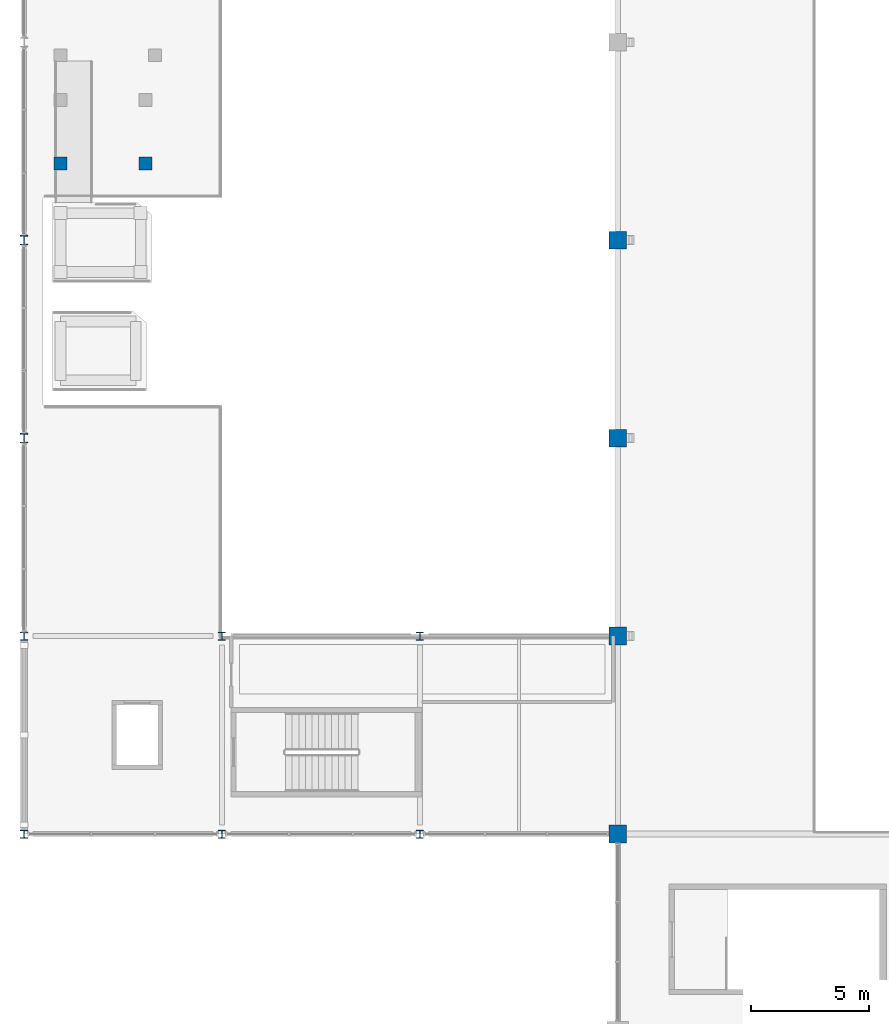
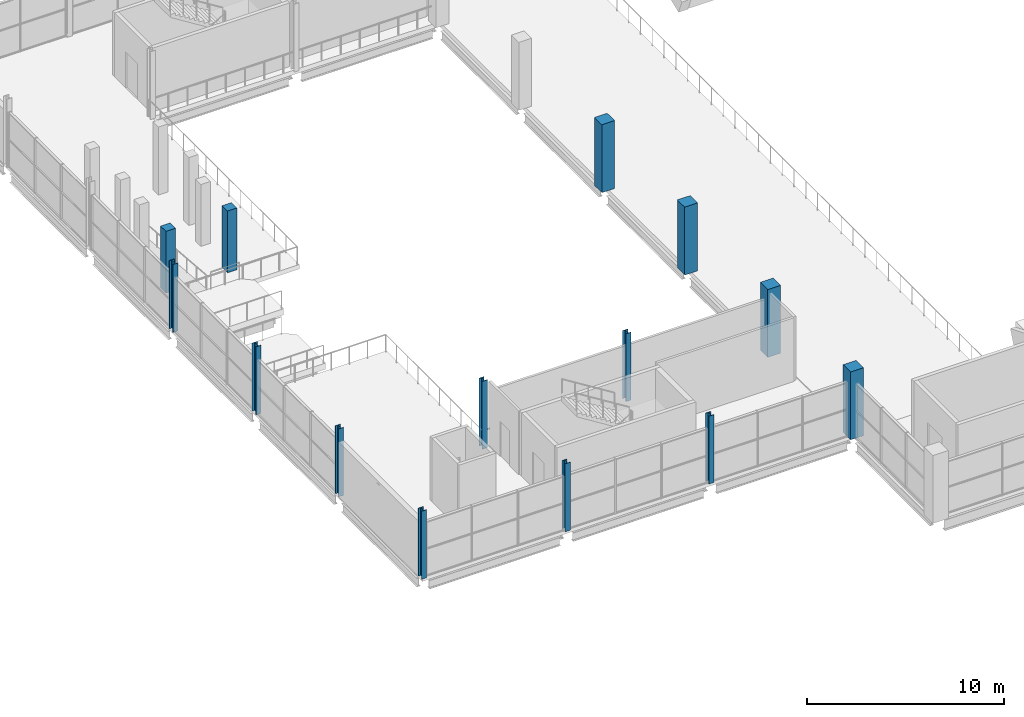
# One storey, part 2 of 161: 14 columns.
"""IFC4 building model written with IfcOpenShell, lengths in metres."""

import ifcopenshell
import ifcopenshell.guid

model = None  # the IFC model being written
_history = None  # IfcOwnerHistory: only IFC2X3 demands one
_inside = {}  # id of a spatial element -> (the spatial element, [elements in it])
_under = {}  # id of a project, library or spatial element -> (it, [spatial elements below it])
_declared = {}  # id of a project -> (the project, [libraries it declares])
_typed = {}  # id of a type object -> (the type object, [elements of that type])
_made_of = {}  # id of a material, layer set ... -> (it, [elements and type objects made of it])


def new_model(schema):
    """Start an empty IFC model of exactly this schema.

    Asked for "IFC4X3", IfcOpenShell would pick the latest addendum, in which some entities
    have other attributes; the version numbers below select the first issue.
    IFC2X3 requires an IfcOwnerHistory on every rooted entity: one is made here for all.
    """
    global model, _history
    if schema == "IFC4X3":
        model = ifcopenshell.file(schema_version=(4, 3, 0, 0))
    else:
        model = ifcopenshell.file(schema=schema)
    _inside.clear()
    _under.clear()
    _declared.clear()
    _typed.clear()
    _made_of.clear()
    _history = None
    if model.schema == "IFC2X3":
        org = make("IfcOrganization", Name="unknown")
        user = make(
            "IfcPersonAndOrganization",
            ThePerson=make("IfcPerson", FamilyName="unknown"),
            TheOrganization=org,
        )
        app = make(
            "IfcApplication",
            ApplicationDeveloper=org,
            Version="unknown",
            ApplicationFullName="unknown",
            ApplicationIdentifier="unknown",
        )
        _history = make(
            "IfcOwnerHistory",
            OwningUser=user,
            OwningApplication=app,
            ChangeAction="ADDED",
            CreationDate=0,
        )
    return model


def make(cls, **values):
    """One entity of the class cls with the attributes given. An attribute that is None is left unset."""
    return model.create_entity(
        cls, **{name: value for name, value in values.items() if value is not None}
    )


def rooted(cls, **values):
    """An entity with a GlobalId (a new one), such as an element, a storey or a relation."""
    return make(cls, GlobalId=ifcopenshell.guid.new(), OwnerHistory=_history, **values)


def si_unit(unit_type, name, prefix=None):
    """IfcSIUnit, for example si_unit("LENGTHUNIT", "METRE", prefix="MILLI")."""
    return make("IfcSIUnit", UnitType=unit_type, Prefix=prefix, Name=name)


def assignment(units):
    """IfcUnitAssignment: the units of a project."""
    return None if units is None else make("IfcUnitAssignment", Units=units)


def point(xyz):
    """IfcCartesianPoint."""
    return None if xyz is None else make("IfcCartesianPoint", Coordinates=xyz)


def direction(xyz):
    """IfcDirection."""
    return None if xyz is None else make("IfcDirection", DirectionRatios=xyz)


def frame(location, z_axis=None, x_axis=None):
    """IfcAxis2Placement3D, a coordinate frame: its origin and axes. An axis left out is left unset."""
    return make(
        "IfcAxis2Placement3D",
        Location=point(location),
        Axis=direction(z_axis),
        RefDirection=direction(x_axis),
    )


def frame_2d(location, x_axis=None):
    """IfcAxis2Placement2D, a coordinate frame in the plane: its origin and x axis."""
    return make(
        "IfcAxis2Placement2D", Location=point(location), RefDirection=direction(x_axis)
    )


def origin():
    """The frame at (0, 0, 0) with its axes left unset."""
    return frame((0.0, 0.0, 0.0))


def origin_2d():
    """The frame at (0, 0) in the plane with its x axis left unset."""
    return frame_2d((0.0, 0.0))


def place(relative_to, where):
    """IfcLocalPlacement: puts the frame where relative to a parent placement (None: the world)."""
    return make(
        "IfcLocalPlacement", PlacementRelTo=relative_to, RelativePlacement=where
    )


def context(
    kind, dimensions, precision=None, world=None, true_north=None, identifier=None
):
    """IfcGeometricRepresentationContext, for example the 3D "Model" context."""
    return make(
        "IfcGeometricRepresentationContext",
        ContextIdentifier=identifier,
        ContextType=kind,
        CoordinateSpaceDimension=dimensions,
        Precision=precision,
        WorldCoordinateSystem=world,
        TrueNorth=true_north,
    )


def subcontext(parent, identifier, kind, view, scale=None):
    """IfcGeometricRepresentationSubContext, for example "Body" below "Model"."""
    return make(
        "IfcGeometricRepresentationSubContext",
        ContextIdentifier=identifier,
        ContextType=kind,
        ParentContext=parent,
        TargetScale=scale,
        TargetView=view,
    )


def project(units=None, contexts=None):
    """IfcProject with its units and contexts."""
    return rooted(
        "IfcProject",
        Name="project",
        RepresentationContexts=contexts,
        UnitsInContext=assignment(units),
    )


def spatial(cls, under=None, at=None, **own):
    """A site, building, storey or space (cls), placed at a placement, below another one or the project."""
    s = rooted(cls, ObjectPlacement=at, **own)
    if under is not None:
        _under.setdefault(under.id(), (under, []))[1].append(s)
    return s


def profile(cls, at=None, kind="AREA", **sizes):
    """A parametric profile (cls). Its sizes go by their IFC names, for example OverallWidth=200.0."""
    return make(cls, ProfileType=kind, Position=at, **sizes)


def rectangle(**sizes):
    """IfcRectangleProfileDef."""
    return profile("IfcRectangleProfileDef", **sizes)


def i_section(**sizes):
    """IfcIShapeProfileDef."""
    return profile("IfcIShapeProfileDef", **sizes)


def extrude(swept, where, along, depth):
    """IfcExtrudedAreaSolid: the profile swept, set in the frame where, extruded along a direction by depth."""
    return make(
        "IfcExtrudedAreaSolid",
        SweptArea=swept,
        Position=where,
        ExtrudedDirection=direction(along),
        Depth=depth,
    )


def shape(context_of_items, identifier, shape_type, items):
    """IfcShapeRepresentation: the items that make up one representation, for example the "Body"."""
    return make(
        "IfcShapeRepresentation",
        ContextOfItems=context_of_items,
        RepresentationIdentifier=identifier,
        RepresentationType=shape_type,
        Items=items,
    )


def material(Name=None, Category=None):
    """IfcMaterial."""
    return make("IfcMaterial", Name=Name, Category=Category)


def material_profile(
    of_material, cross_section, Name=None, Category=None, Priority=None
):
    """IfcMaterialProfile: a cross section and its material."""
    return make(
        "IfcMaterialProfile",
        Name=Name,
        Material=of_material,
        Profile=cross_section,
        Priority=Priority,
        Category=Category,
    )


def profile_set(profiles, Name=None, composite=None):
    """IfcMaterialProfileSet."""
    return make(
        "IfcMaterialProfileSet",
        Name=Name,
        MaterialProfiles=profiles,
        CompositeProfile=composite,
    )


def made_of(thing, what):
    """Note that an element or type object is made of a material, layer set ...; save() writes the relation."""
    if what is not None:
        _made_of.setdefault(what.id(), (what, []))[1].append(thing)
    return thing


def type_object(cls, material=None, **own):
    """A type object (cls), such as IfcWallType, which elements share."""
    return made_of(rooted(cls, **own), material)


def element(
    cls,
    number,
    at=None,
    inside=None,
    cuts=None,
    type_object=None,
    material=None,
    context=None,
    identifier="Body",
    shape_type=None,
    held_by="IfcProductDefinitionShape",
    body=None,
    shapes=None,
    **own,
):
    """One element of the class cls, such as IfcWall. Its Tag is "e" and its number.

    at: its placement. inside: the storey or other place that contains it. cuts: it is an
    opening in that element (IfcRelVoidsElement). A single representation is given by context,
    identifier, shape_type and body (its items); several are given by shapes. held_by: the class
    of the entity that holds the representations. save() writes the other relations.
    """
    e = rooted(cls, Tag="e%d" % number, ObjectPlacement=at, **own)
    if body is not None:
        shapes = [shape(context, identifier, shape_type, body)]
    if shapes is not None:
        e.Representation = make(held_by, Representations=shapes)
    if inside is not None:
        _inside.setdefault(inside.id(), (inside, []))[1].append(e)
    if cuts is not None:
        rooted(
            "IfcRelVoidsElement", RelatingBuildingElement=cuts, RelatedOpeningElement=e
        )
    if type_object is not None:
        _typed.setdefault(type_object.id(), (type_object, []))[1].append(e)
    return made_of(e, material)


def aggregate(whole, parts):
    """IfcRelAggregates: a whole, such as a stair, and the parts it consists of."""
    return rooted("IfcRelAggregates", RelatingObject=whole, RelatedObjects=parts)


def save(model, path):
    """Write the relations noted so far, then the file.

    IfcRelAggregates (storeys below a building ...), IfcRelContainedInSpatialStructure (elements
    in a storey), IfcRelDefinesByType, IfcRelAssociatesMaterial and IfcRelDeclares: one each for
    every whole, place, type object, material and project.
    """
    for whole, parts in _under.values():
        aggregate(whole, parts)
    for where, things in _inside.values():
        rooted(
            "IfcRelContainedInSpatialStructure",
            RelatedElements=things,
            RelatingStructure=where,
        )
    for kind, things in _typed.values():
        rooted("IfcRelDefinesByType", RelatedObjects=things, RelatingType=kind)
    for what, things in _made_of.values():
        rooted("IfcRelAssociatesMaterial", RelatedObjects=things, RelatingMaterial=what)
    for by, libraries in _declared.values():
        rooted("IfcRelDeclares", RelatingContext=by, RelatedDefinitions=libraries)
    model.write(path)


model = new_model("IFC4")

# Units and contexts
model_context = context("Model", 3, precision=1e-05, world=origin(), true_north=direction((0.0, 1.0)))
body_context = subcontext(model_context, "Body", "Model", "MODEL_VIEW")
ifc_project = project(units=[si_unit("LENGTHUNIT", "METRE"), si_unit("AREAUNIT", "SQUARE_METRE"), si_unit("VOLUMEUNIT", "CUBIC_METRE"), si_unit("PLANEANGLEUNIT", "RADIAN"), si_unit("MASSUNIT", "GRAM", prefix="KILO"), si_unit("THERMODYNAMICTEMPERATUREUNIT", "KELVIN")], contexts=[model_context])

# Site, building, storey
site_placement = place(None, origin())
site = spatial("IfcSite", under=ifc_project, at=site_placement, CompositionType="ELEMENT")
building_placement = place(site_placement, origin())
building = spatial("IfcBuilding", under=site, at=building_placement, Name="Nduvali Passage Aquatics Centre", CompositionType="ELEMENT")
storey_placement = place(building_placement, frame((0.0, 0.0, 4.800048828125)))
storey = spatial("IfcBuildingStorey", under=building, at=storey_placement, Name="L01", CompositionType="ELEMENT", Elevation=4.800048828125)

# Columns
ifc_material_1 = material(Name="Steel S355", Category="steel")
ifc_material_profile_1 = material_profile(ifc_material_1, i_section(OverallWidth=0.300048828125, OverallDepth=0.340087890625, WebThickness=0.011962890625, FlangeThickness=0.021484375, FilletRadius=0.027099609375, at=origin_2d()), Name="HEB 340")
ifc_profile_set_1 = profile_set([ifc_material_profile_1], Name="Steel S355")
column_type_1 = type_object("IfcColumnType", Name="STR-COL-HEB340", PredefinedType="COLUMN", material=ifc_profile_set_1)
for number, where, z_axis, x_axis, name in (
    (1, (8.39990234375, 42.0, 0.0), (0.0, 0.0, 1.0), (1.0, 0.0, 0.0), "L01 Column C7 (8.4, 42.0)"),
    (2, (16.800048828125, 42.0, 0.0), (0.0, 0.0, 1.0), (1.0, 0.0, 0.0), "L01 Column C7 (16.8, 42.0)"),
):
    element("IfcColumn", number, at=place(storey_placement, frame(where, z_axis=z_axis, x_axis=x_axis)), inside=storey, type_object=column_type_1, Name=name, PredefinedType="COLUMN", context=body_context, shape_type="SweptSolid", body=[
        extrude(i_section(OverallWidth=0.300048828125, OverallDepth=0.340087890625, WebThickness=0.011962890625, FlangeThickness=0.021484375, FilletRadius=0.027099609375, at=origin_2d()), origin(), (0.0, 0.0, 1.0), 4.199951171875),
    ])
ifc_material_profile_2 = material_profile(ifc_material_1, i_section(OverallWidth=0.300048828125, OverallDepth=0.340087890625, WebThickness=0.011962890625, FlangeThickness=0.021484375, FilletRadius=0.027099609375, at=origin_2d()), Name="HEB 340")
ifc_profile_set_2 = profile_set([ifc_material_profile_2], Name="Steel S355")
column_type_2 = type_object("IfcColumnType", Name="STR-COL-HEB340-EXT", PredefinedType="COLUMN", material=ifc_profile_set_2)
for number, where, z_axis, x_axis, name in (
    (3, (0.0, 33.60009765625, 0.0), (0.0, 0.0, 1.0), (1.0, 0.0, 0.0), "L01 Column C7E (0.0, 33.6)"),
    (4, (0.0, 42.0, 0.0), (0.0, 0.0, 1.0), (1.0, 0.0, 0.0), "L01 Column C7E (0.0, 42.0)"),
    (5, (8.39990234375, 33.60009765625, 0.0), (0.0, 0.0, 1.0), (1.0, 0.0, 0.0), "L01 Column C7E (8.4, 33.6)"),
    (6, (16.800048828125, 33.60009765625, 0.0), (0.0, 0.0, 1.0), (1.0, 0.0, 0.0), "L01 Column C7E (16.8, 33.6)"),
):
    element("IfcColumn", number, at=place(storey_placement, frame(where, z_axis=z_axis, x_axis=x_axis)), inside=storey, type_object=column_type_2, Name=name, PredefinedType="COLUMN", context=body_context, shape_type="SweptSolid", body=[
        extrude(i_section(OverallWidth=0.300048828125, OverallDepth=0.340087890625, WebThickness=0.011962890625, FlangeThickness=0.021484375, FilletRadius=0.027099609375, at=origin_2d()), origin(), (0.0, 0.0, 1.0), 4.199951171875),
    ])
ifc_material_profile_3 = material_profile(ifc_material_1, i_section(OverallWidth=0.300048828125, OverallDepth=0.39990234375, WebThickness=0.013427734375, FlangeThickness=0.02392578125, FilletRadius=0.027099609375, at=origin_2d()), Name="HEB 400")
ifc_profile_set_3 = profile_set([ifc_material_profile_3], Name="Steel S355")
column_type_3 = type_object("IfcColumnType", Name="STR-COL-HEB400-EXT", PredefinedType="COLUMN", material=ifc_profile_set_3)
for number, where, z_axis, x_axis, name in (
    (7, (0.0, 50.39990234375, 0.0), (0.0, 0.0, 1.0), (1.0, 0.0, 0.0), "L01 Column C7AE (0.0, 50.4)"),
    (8, (0.0, 58.800048828125, 0.0), (0.0, 0.0, 1.0), (1.0, 0.0, 0.0), "L01 Column C7AE (0.0, 58.8)"),
):
    element("IfcColumn", number, at=place(storey_placement, frame(where, z_axis=z_axis, x_axis=x_axis)), inside=storey, type_object=column_type_3, Name=name, PredefinedType="COLUMN", context=body_context, shape_type="SweptSolid", body=[
        extrude(i_section(OverallWidth=0.300048828125, OverallDepth=0.39990234375, WebThickness=0.013427734375, FlangeThickness=0.02392578125, FilletRadius=0.027099609375, at=origin_2d()), origin(), (0.0, 0.0, 1.0), 4.199951171875),
    ])
ifc_material_2 = material(Name="Concrete C40/50", Category="concrete")
ifc_material_profile_4 = material_profile(ifc_material_2, rectangle(XDim=0.550048828125, YDim=0.550048828125, at=origin_2d()), Name="RC 550x550")
ifc_profile_set_4 = profile_set([ifc_material_profile_4], Name="Concrete C40/50")
column_type_4 = type_object("IfcColumnType", Name="STR-COL-RC550", PredefinedType="COLUMN", material=ifc_profile_set_4)
for number, where, z_axis, x_axis, name in (
    (9, (1.550048828125, 62.050048828125, 0.0), (0.0, 0.0, 1.0), (1.0, 0.0, 0.0), "L01 Column C4 (1.6, 62.0)"),
    (10, (5.14990234375, 62.050048828125, 0.0), (0.0, 0.0, 1.0), (1.0, 0.0, 0.0), "L01 Column C4 (5.2, 62.0)"),
):
    element("IfcColumn", number, at=place(storey_placement, frame(where, z_axis=z_axis, x_axis=x_axis)), inside=storey, type_object=column_type_4, Name=name, PredefinedType="COLUMN", context=body_context, shape_type="SweptSolid", body=[
        extrude(rectangle(XDim=0.550048828125, YDim=0.550048828125, at=origin_2d()), origin(), (0.0, 0.0, 1.0), 3.820068359375),
    ])
ifc_material_profile_5 = material_profile(ifc_material_2, rectangle(XDim=0.75, YDim=0.75, at=origin_2d()), Name="RC 750x750")
ifc_profile_set_5 = profile_set([ifc_material_profile_5], Name="Concrete C40/50")
column_type_5 = type_object("IfcColumnType", Name="STR-COL-RC750", PredefinedType="COLUMN", material=ifc_profile_set_5)
for number, where, z_axis, x_axis, name in (
    (11, (25.199951171875, 33.60009765625, 0.0), (0.0, 0.0, 1.0), (1.0, 0.0, 0.0), "L01 Column C2 (25.2, 33.6)"),
    (12, (25.199951171875, 42.0, 0.0), (0.0, 0.0, 1.0), (1.0, 0.0, 0.0), "L01 Column C2 (25.2, 42.0)"),
    (13, (25.199951171875, 50.39990234375, 0.0), (0.0, 0.0, 1.0), (1.0, 0.0, 0.0), "L01 Column C2 (25.2, 50.4)"),
    (14, (25.199951171875, 58.800048828125, 0.0), (0.0, 0.0, 1.0), (1.0, 0.0, 0.0), "L01 Column C2 (25.2, 58.8)"),
):
    element("IfcColumn", number, at=place(storey_placement, frame(where, z_axis=z_axis, x_axis=x_axis)), inside=storey, type_object=column_type_5, Name=name, PredefinedType="COLUMN", context=body_context, shape_type="SweptSolid", body=[
        extrude(rectangle(XDim=0.75, YDim=0.75, at=origin_2d()), origin(), (0.0, 0.0, 1.0), 4.199951171875),
    ])

save(model, "model.ifc")
